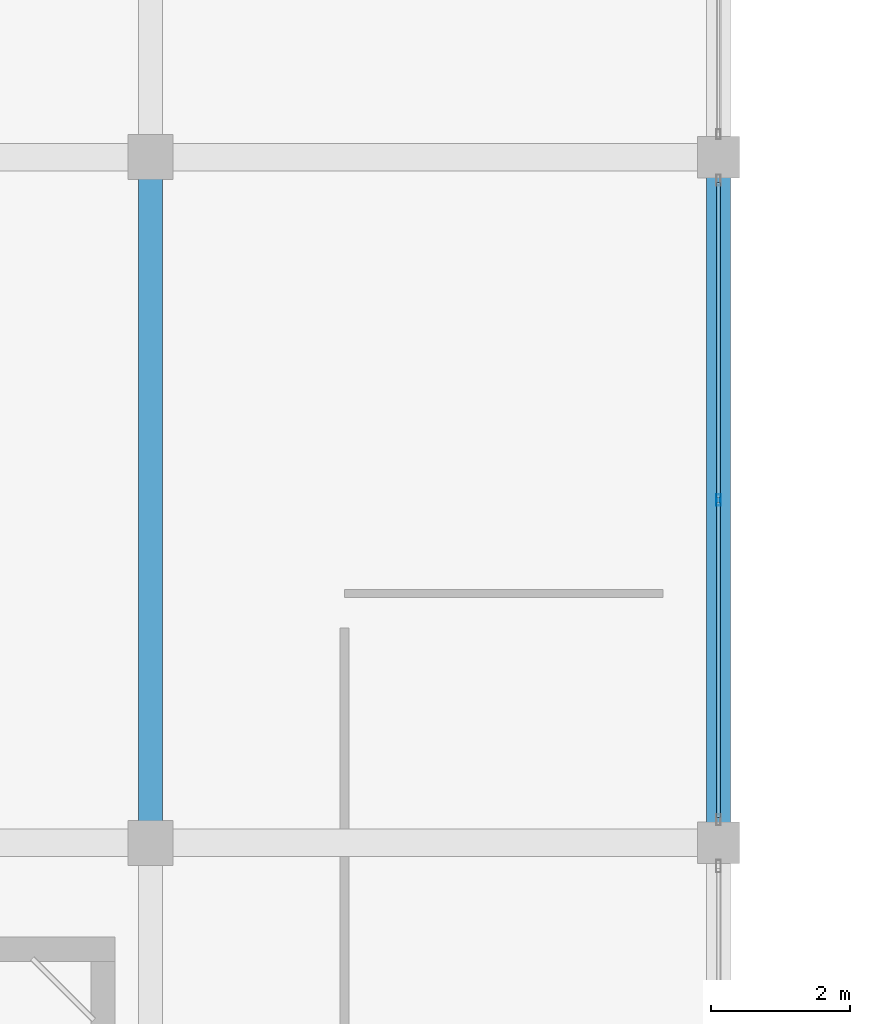
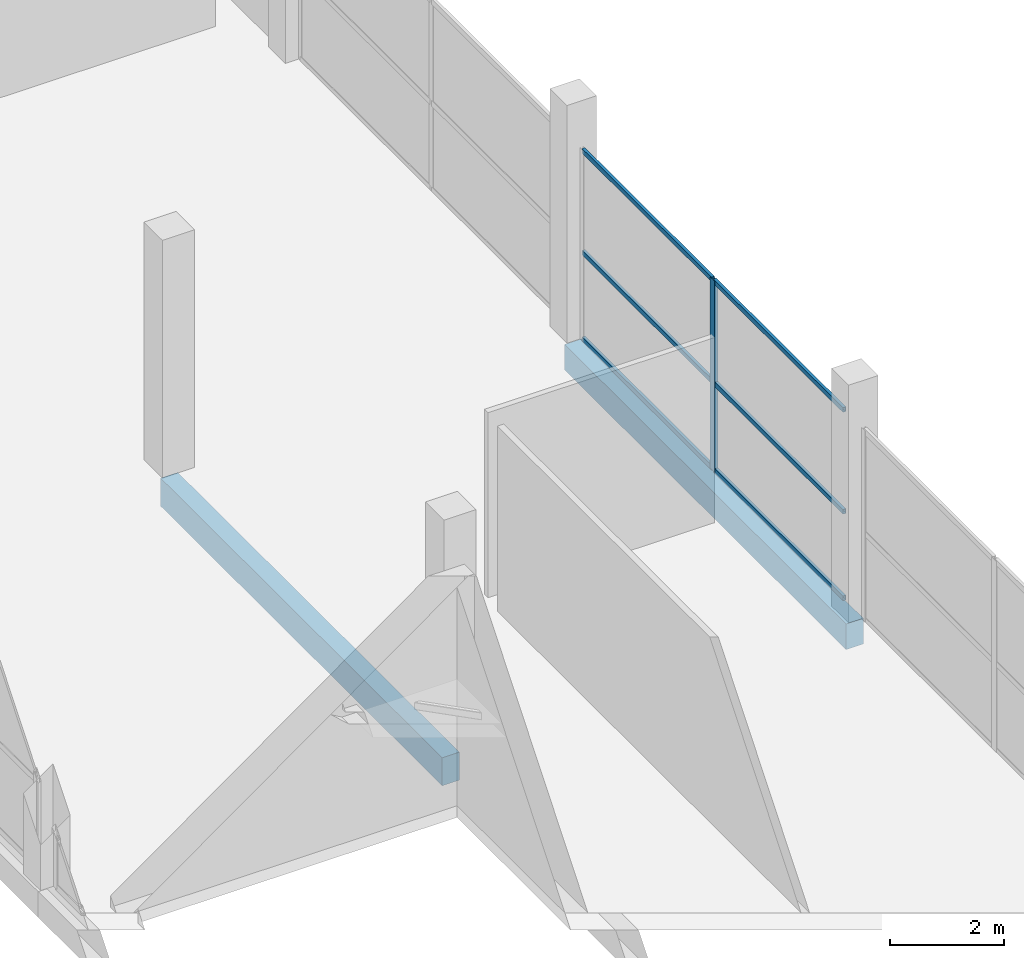
# One storey, part 30 of 58: 7 members, 2 beams, 1 element without a shape of its own.
"""IFC4 building model written with IfcOpenShell, lengths in metres."""

from ifc_helpers import new_model, si_unit, direction, frame, origin, origin_2d, place, context, subcontext, project, spatial, rectangle, hollow_rectangle, extrude, material, layer, layer_set, material_profile, profile_set, type_object, element, aggregate, save


model = new_model("IFC4")

# Units and contexts
model_context = context("Model", 3, precision=1e-05, world=origin(), true_north=direction((0.0, 1.0)))
body_context = subcontext(model_context, "Body", "Model", "MODEL_VIEW")
ifc_project = project(units=[si_unit("LENGTHUNIT", "METRE"), si_unit("AREAUNIT", "SQUARE_METRE"), si_unit("VOLUMEUNIT", "CUBIC_METRE"), si_unit("PLANEANGLEUNIT", "RADIAN"), si_unit("MASSUNIT", "GRAM", prefix="KILO")], contexts=[model_context])

# Site, building, storey
site_placement = place(None, origin())
site = spatial("IfcSite", under=ifc_project, at=site_placement, CompositionType="ELEMENT")
building_placement = place(site_placement, origin())
building = spatial("IfcBuilding", under=site, at=building_placement, Name="Sillaruma Civic Art Gallery", CompositionType="ELEMENT")
storey_placement = place(building_placement, frame((0.0, 0.0, 52.02001953125)))
storey = spatial("IfcBuildingStorey", under=building, at=storey_placement, Name="L10", CompositionType="ELEMENT", Elevation=52.02001953125)

# Beams
ifc_material_1 = material(Name="Concrete H35 (35 MPa)", Category="concrete")
ifc_material_profile_1 = material_profile(ifc_material_1, rectangle(XDim=0.35009765625, YDim=0.60009765625, at=origin_2d()), Name="RCB350x600")
ifc_profile_set_1 = profile_set([ifc_material_profile_1], Name="Concrete H35 (35 MPa)")
beam_type_1 = type_object("IfcBeamType", Name="BM-BEAM-RCB350x600", PredefinedType="BEAM", material=ifc_profile_set_1)
beam_1_placement = place(storey_placement, frame((106.199951171875, 59.39990234375, -0.550048828125), z_axis=(0.0, 1.0, 0.0), x_axis=(-1.0, 0.0, 0.0)))
element("IfcBeam", 1, at=beam_1_placement, inside=storey, type_object=beam_type_1, Name="Beam BM-06 (L09:M:7-8)", PredefinedType="BEAM", context=body_context, shape_type="SweptSolid", body=[
    extrude(rectangle(XDim=0.35009765625, YDim=0.60009765625, at=origin_2d()), origin(), (0.0, 0.0, 1.0), 9.900146484375),
])
ifc_material_profile_2 = material_profile(ifc_material_1, rectangle(XDim=0.35009765625, YDim=0.550048828125, at=origin_2d()), Name="RCB350x550")
ifc_profile_set_2 = profile_set([ifc_material_profile_2], Name="Concrete H35 (35 MPa)")
beam_type_2 = type_object("IfcBeamType", Name="BM-SPANDREL-RCB350x550", PredefinedType="SPANDREL", material=ifc_profile_set_2)
beam_2_placement = place(storey_placement, frame((114.39990234375, 59.39990234375, -0.52490234375), z_axis=(0.0, 1.0, 0.0), x_axis=(-1.0, 0.0, 0.0)))
element("IfcBeam", 2, at=beam_2_placement, inside=storey, type_object=beam_type_2, Name="Beam BS-04 (L09:N:7-8)", PredefinedType="SPANDREL", context=body_context, shape_type="SweptSolid", body=[
    extrude(rectangle(XDim=0.35009765625, YDim=0.550048828125, at=origin_2d()), origin(), (0.0, 0.0, 1.0), 9.900146484375),
])

# Curtain wall, members
ifc_material_2 = material(Name="Thermally Broken Extruded Aluminium 6063-T6", Category="aluminium")
ifc_layer = layer(ifc_material_2, 0.159912109375, Name="Thermally Broken Extruded Aluminium 6063-T6")
ifc_layer_set = layer_set([ifc_layer], Name="Thermally Broken Extruded Aluminium 6063-T6")
curtain_wall_type = type_object("IfcCurtainWallType", Name="CW-UNI-81", PredefinedType="NOTDEFINED", material=ifc_layer_set)
curtain_wall_placement = place(storey_placement, origin())
curtain_wall = element("IfcCurtainWall", 3, at=curtain_wall_placement, inside=storey, type_object=curtain_wall_type, Name="Unitised Curtain Wall CW-81 (CW-L10-EBE-5)", PredefinedType="NOTDEFINED")
ifc_material_profile_3 = material_profile(ifc_material_2, hollow_rectangle(XDim=0.06494140625, YDim=0.159912109375, WallThickness=0.00390625, at=origin_2d()), Name="CWM65x160")
ifc_profile_set_3 = profile_set([ifc_material_profile_3], Name="Thermally Broken Extruded Aluminium 6063-T6")
member_type_1 = type_object("IfcMemberType", Name="MEM-MUL-CWM65x160", PredefinedType="MULLION", material=ifc_profile_set_3)
member_1_placement = place(storey_placement, frame((114.39990234375, 64.35009765625, 0.0), z_axis=(0.0, 0.0, 1.0), x_axis=(-1.0, 0.0, 0.0)))
member_1 = element("IfcMember", 4, at=member_1_placement, type_object=member_type_1, Name="CW-81 mullion 2", PredefinedType="MULLION", context=body_context, shape_type="SweptSolid", body=[
    extrude(hollow_rectangle(XDim=0.06494140625, YDim=0.159912109375, WallThickness=0.00390625, at=origin_2d()), origin(), (0.0, 0.0, 1.0), 4.10009765625),
])
ifc_material_profile_4 = material_profile(ifc_material_2, hollow_rectangle(XDim=0.06005859375, YDim=0.10009765625, WallThickness=0.003173828125, at=origin_2d()), Name="CWT60x100")
ifc_profile_set_4 = profile_set([ifc_material_profile_4], Name="Thermally Broken Extruded Aluminium 6063-T6")
member_type_2 = type_object("IfcMemberType", Name="MEM-TRN-CWT60x100", PredefinedType="USERDEFINED", material=ifc_profile_set_4)
member_2_placement = place(storey_placement, frame((114.39990234375, 59.764892578125, 0.030029296875), z_axis=(0.0, 1.0, 0.0), x_axis=(-1.0, 0.0, 0.0)))
member_2 = element("IfcMember", 5, at=member_2_placement, type_object=member_type_2, Name="CW-81 transom 1.1", ObjectType="TRANSOM", PredefinedType="USERDEFINED", context=body_context, shape_type="SweptSolid", body=[
    extrude(hollow_rectangle(XDim=0.06005859375, YDim=0.10009765625, WallThickness=0.003173828125, at=origin_2d()), origin(), (0.0, 0.0, 1.0), 4.552490234375),
])
member_3_placement = place(storey_placement, frame((114.39990234375, 59.764892578125, 1.885986328125), z_axis=(0.0, 1.0, 0.0), x_axis=(-1.0, 0.0, 0.0)))
member_3 = element("IfcMember", 6, at=member_3_placement, type_object=member_type_2, Name="CW-81 transom 1.2", ObjectType="TRANSOM", PredefinedType="USERDEFINED", context=body_context, shape_type="SweptSolid", body=[
    extrude(hollow_rectangle(XDim=0.06005859375, YDim=0.10009765625, WallThickness=0.003173828125, at=origin_2d()), origin(), (0.0, 0.0, 1.0), 4.552490234375),
])
member_4_placement = place(storey_placement, frame((114.39990234375, 59.764892578125, 4.070068359375), z_axis=(0.0, 1.0, 0.0), x_axis=(-1.0, 0.0, 0.0)))
member_4 = element("IfcMember", 7, at=member_4_placement, type_object=member_type_2, Name="CW-81 transom 1.3", ObjectType="TRANSOM", PredefinedType="USERDEFINED", context=body_context, shape_type="SweptSolid", body=[
    extrude(hollow_rectangle(XDim=0.06005859375, YDim=0.10009765625, WallThickness=0.003173828125, at=origin_2d()), origin(), (0.0, 0.0, 1.0), 4.552490234375),
])
member_5_placement = place(storey_placement, frame((114.39990234375, 64.382568359375, 0.030029296875), z_axis=(0.0, 1.0, 0.0), x_axis=(-1.0, 0.0, 0.0)))
member_5 = element("IfcMember", 8, at=member_5_placement, type_object=member_type_2, Name="CW-81 transom 2.1", ObjectType="TRANSOM", PredefinedType="USERDEFINED", context=body_context, shape_type="SweptSolid", body=[
    extrude(hollow_rectangle(XDim=0.06005859375, YDim=0.10009765625, WallThickness=0.003173828125, at=origin_2d()), origin(), (0.0, 0.0, 1.0), 4.552490234375),
])
member_6_placement = place(storey_placement, frame((114.39990234375, 64.382568359375, 1.885986328125), z_axis=(0.0, 1.0, 0.0), x_axis=(-1.0, 0.0, 0.0)))
member_6 = element("IfcMember", 9, at=member_6_placement, type_object=member_type_2, Name="CW-81 transom 2.2", ObjectType="TRANSOM", PredefinedType="USERDEFINED", context=body_context, shape_type="SweptSolid", body=[
    extrude(hollow_rectangle(XDim=0.06005859375, YDim=0.10009765625, WallThickness=0.003173828125, at=origin_2d()), origin(), (0.0, 0.0, 1.0), 4.552490234375),
])
member_7_placement = place(storey_placement, frame((114.39990234375, 64.382568359375, 4.070068359375), z_axis=(0.0, 1.0, 0.0), x_axis=(-1.0, 0.0, 0.0)))
member_7 = element("IfcMember", 10, at=member_7_placement, type_object=member_type_2, Name="CW-81 transom 2.3", ObjectType="TRANSOM", PredefinedType="USERDEFINED", context=body_context, shape_type="SweptSolid", body=[
    extrude(hollow_rectangle(XDim=0.06005859375, YDim=0.10009765625, WallThickness=0.003173828125, at=origin_2d()), origin(), (0.0, 0.0, 1.0), 4.552490234375),
])
aggregate(curtain_wall, [member_1, member_2, member_3, member_4, member_5, member_6, member_7])

save(model, "model.ifc")
